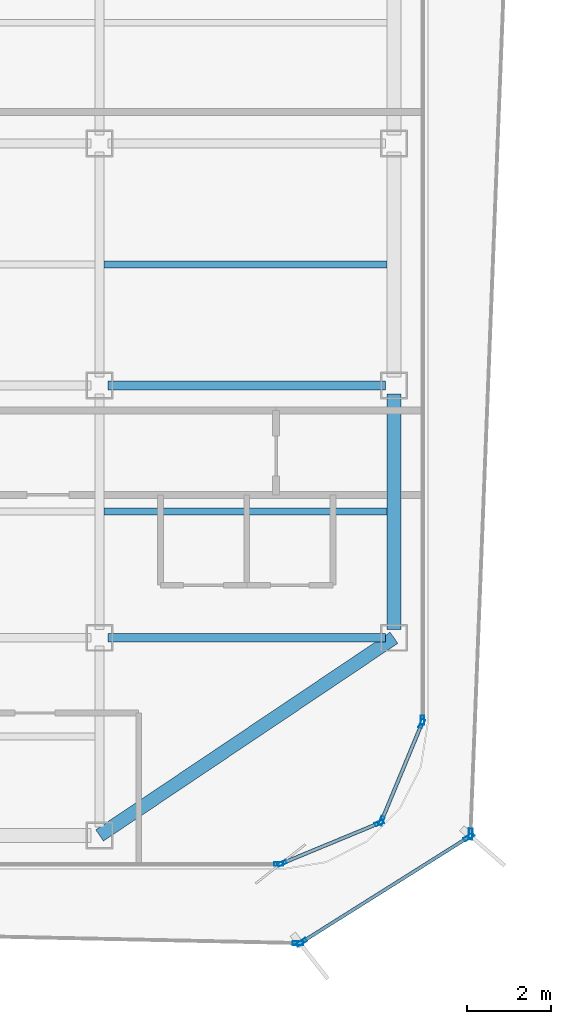
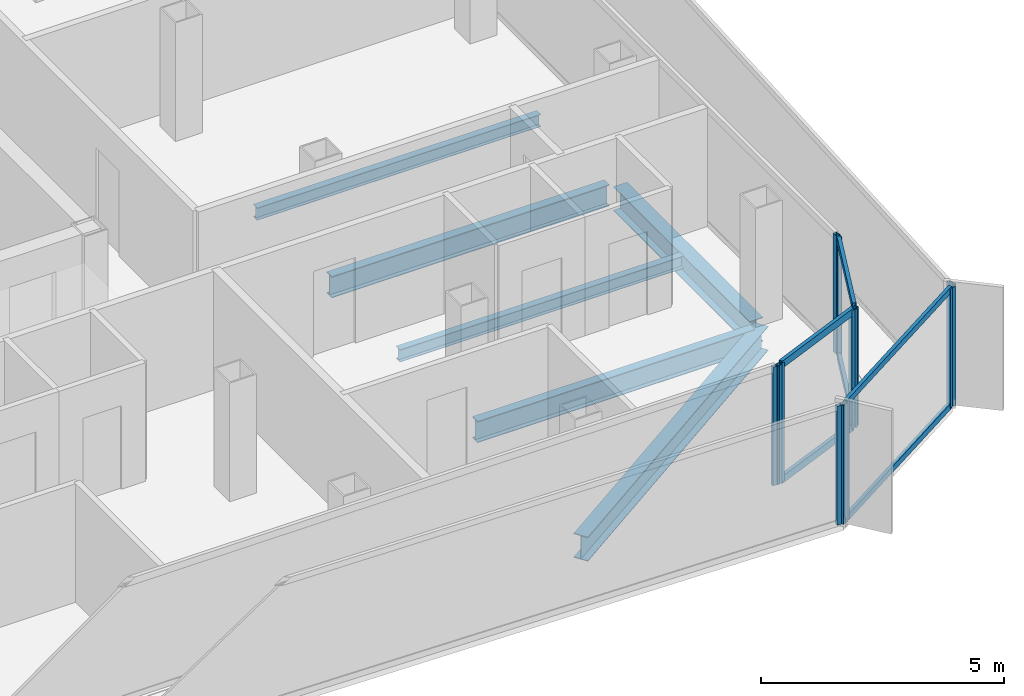
# One storey, part 4 of 15: 16 members, 6 beams, 7 elements without a shape of their own.
"""IFC4 building model written with IfcOpenShell, lengths in metres."""

from ifc_helpers import new_model, si_unit, direction, frame, origin, origin_2d, place, context, subcontext, project, spatial, hollow_rectangle, i_section, extrude, source, transform, mapped, material, layer, layer_set, material_profile, profile_set, type_object, element, aggregate, save


model = new_model("IFC4")

# Units and contexts
model_context = context("Model", 3, precision=1e-05, world=origin(), true_north=direction((0.0, 1.0)))
body_context = subcontext(model_context, "Body", "Model", "MODEL_VIEW")
ifc_project = project(units=[si_unit("LENGTHUNIT", "METRE"), si_unit("AREAUNIT", "SQUARE_METRE"), si_unit("VOLUMEUNIT", "CUBIC_METRE"), si_unit("PLANEANGLEUNIT", "RADIAN"), si_unit("MASSUNIT", "GRAM", prefix="KILO")], contexts=[model_context])

# Site, building, storey
site_placement = place(None, origin())
site = spatial("IfcSite", under=ifc_project, at=site_placement, CompositionType="ELEMENT")
building_placement = place(site_placement, origin())
building = spatial("IfcBuilding", under=site, at=building_placement, Name="Kolveth Station Tower", CompositionType="ELEMENT")
storey_placement = place(building_placement, frame((0.0, 0.0, 223.300048828125)))
storey = spatial("IfcBuildingStorey", under=building, at=storey_placement, Name="L63", CompositionType="ELEMENT", Elevation=223.300048828125)

# Beams
ifc_material_1 = material(Name="Steel S355", Category="steel")
ifc_material_profile_1 = material_profile(ifc_material_1, i_section(OverallWidth=0.323974609375, OverallDepth=0.611083984375, WebThickness=0.0126953125, FlangeThickness=0.01904296875, at=origin_2d()), Name="W610x155")
ifc_profile_set_1 = profile_set([ifc_material_profile_1], Name="Steel S355")
beam_type_1 = type_object("IfcBeamType", Name="Beam_SP2", PredefinedType="SPANDREL", material=ifc_profile_set_1)
shared_shape_1 = source(origin(), body_context, "Body", "SweptSolid", [
    extrude(i_section(OverallWidth=0.323974609375, OverallDepth=0.611083984375, WebThickness=0.0126953125, FlangeThickness=0.01904296875, at=origin_2d()), origin(), (0.0, 0.0, 1.0), 8.431396484375),
])
beam_1_placement = place(storey_placement, frame((34.0, 0.800048828125, -0.525634765625), z_axis=(0.830223811004, 0.557430196206, 0.0), x_axis=(-0.557430196206, 0.830223811004, 0.0)))
element("IfcBeam", 1, at=beam_1_placement, inside=storey, type_object=beam_type_1, Name="L63 Corner Edge Girder BM-L63-CNR-SE", PredefinedType="SPANDREL", context=body_context, shape_type="MappedRepresentation", body=[
    mapped(shared_shape_1, transform((0.0, 0.0, 0.0), x_axis=(1.0, 0.0, 0.0), y_axis=(0.0, 1.0, 0.0), z_axis=(0.0, 0.0, 1.0), scale=1.0)),
])
shared_shape_2 = source(origin(), body_context, "Body", "SweptSolid", [
    extrude(i_section(OverallWidth=0.323974609375, OverallDepth=0.611083984375, WebThickness=0.0126953125, FlangeThickness=0.01904296875, at=origin_2d()), origin(), (0.0, 0.0, 1.0), 5.60009765625),
])
beam_2_placement = place(storey_placement, frame((41.0, 5.699951171875, -0.525634765625), z_axis=(0.0, 1.0, 0.0), x_axis=(-1.0, 0.0, 0.0)))
element("IfcBeam", 2, at=beam_2_placement, inside=storey, type_object=beam_type_1, Name="L63 Perimeter Spandrel BM-L63-PE-1", PredefinedType="SPANDREL", context=body_context, shape_type="MappedRepresentation", body=[
    mapped(shared_shape_2, transform((0.0, 0.0, 0.0), x_axis=(1.0, 0.0, 0.0), y_axis=(0.0, 1.0, 0.0), z_axis=(0.0, 0.0, 1.0), scale=1.0)),
])
ifc_material_profile_2 = material_profile(ifc_material_1, i_section(OverallWidth=0.2099609375, OverallDepth=0.537109375, WebThickness=0.010986328125, FlangeThickness=0.017333984375, at=origin_2d()), Name="W530x101")
ifc_profile_set_2 = profile_set([ifc_material_profile_2], Name="Steel S355")
beam_type_2 = type_object("IfcBeamType", Name="Beam_B6", PredefinedType="BEAM", material=ifc_profile_set_2)
shared_shape_3 = source(origin(), body_context, "Body", "SweptSolid", [
    extrude(i_section(OverallWidth=0.2099609375, OverallDepth=0.537109375, WebThickness=0.010986328125, FlangeThickness=0.017333984375, at=origin_2d()), origin(), (0.0, 0.0, 1.0), 6.60009765625),
])
for number, where, z_axis, x_axis, name in (
    (3, (34.199951171875, 5.5, -0.488525390625), (1.0, 0.0, 0.0), (0.0, 1.0, 0.0), "L63 Primary Girder BM-L63-GY55-5"),
    (4, (34.199951171875, 11.5, -0.488525390625), (1.0, 0.0, 0.0), (0.0, 1.0, 0.0), "L63 Primary Girder BM-L63-GY115-5"),
):
    element("IfcBeam", number, at=place(storey_placement, frame(where, z_axis=z_axis, x_axis=x_axis)), inside=storey, type_object=beam_type_2, Name=name, PredefinedType="BEAM", context=body_context, shape_type="MappedRepresentation", body=[
        mapped(shared_shape_3, transform((0.0, 0.0, 0.0), x_axis=(1.0, 0.0, 0.0), y_axis=(0.0, 1.0, 0.0), z_axis=(0.0, 0.0, 1.0), scale=1.0)),
    ])
ifc_material_profile_3 = material_profile(ifc_material_1, i_section(OverallWidth=0.1650390625, OverallDepth=0.31005859375, WebThickness=0.005859375, FlangeThickness=0.009765625, at=origin_2d()), Name="W310x39")
ifc_profile_set_3 = profile_set([ifc_material_profile_3], Name="Steel S355")
beam_type_3 = type_object("IfcBeamType", Name="Beam_J3", PredefinedType="JOIST", material=ifc_profile_set_3)
shared_shape_4 = source(origin(), body_context, "Body", "SweptSolid", [
    extrude(i_section(OverallWidth=0.1650390625, OverallDepth=0.31005859375, WebThickness=0.005859375, FlangeThickness=0.009765625, at=origin_2d()), origin(), (0.0, 0.0, 1.0), 6.737060546875),
])
for number, where, z_axis, x_axis, name in (
    (5, (34.10302734375, 8.5, -0.375), (1.0, 0.0, 0.0), (0.0, 1.0, 0.0), "L63 Secondary Joist JST-L63-5-2"),
    (6, (34.10302734375, 14.375, -0.375), (1.0, 0.0, 0.0), (0.0, 1.0, 0.0), "L63 Secondary Joist JST-L63-5-3"),
):
    element("IfcBeam", number, at=place(storey_placement, frame(where, z_axis=z_axis, x_axis=x_axis)), inside=storey, type_object=beam_type_3, Name=name, PredefinedType="JOIST", context=body_context, shape_type="MappedRepresentation", body=[
        mapped(shared_shape_4, transform((0.0, 0.0, 0.0), x_axis=(1.0, 0.0, 0.0), y_axis=(0.0, 1.0, 0.0), z_axis=(0.0, 0.0, 1.0), scale=1.0)),
    ])

# Curtain wall, members
ifc_material_2 = material(Name="Black anodized aluminium 6063-T6 and dark solar glass", Category="aluminium")
ifc_layer_1 = layer(ifc_material_2, 0.159912109375)
ifc_layer_set_1 = layer_set([ifc_layer_1], Name="Black anodized aluminium 6063-T6 and dark solar glass")
curtain_wall_type_1 = type_object("IfcCurtainWallType", Name="OUTER SKIN CW-OS", PredefinedType="NOTDEFINED", material=ifc_layer_set_1)
curtain_wall_1_placement = place(storey_placement, origin())
curtain_wall_1 = element("IfcCurtainWall", 7, at=curtain_wall_1_placement, inside=storey, type_object=curtain_wall_type_1, Name="L63 Outer Ventilated Skin Curtain Wall 1", PredefinedType="NOTDEFINED")
ifc_material_3 = material(Name="Black anodized aluminium 6063-T6", Category="aluminium")
ifc_material_profile_4 = material_profile(ifc_material_3, hollow_rectangle(XDim=0.090087890625, YDim=0.260009765625, WallThickness=0.0048828125, at=origin_2d()), Name="ALU-90x260x5")
ifc_profile_set_4 = profile_set([ifc_material_profile_4], Name="Black anodized aluminium 6063-T6")
member_type_1 = type_object("IfcMemberType", Name="FIN MULLION ML-OS", PredefinedType="MULLION", material=ifc_profile_set_4)
shared_shape_5 = source(origin(), body_context, "Body", "SweptSolid", [
    extrude(hollow_rectangle(XDim=0.090087890625, YDim=0.260009765625, WallThickness=0.0048828125, at=origin_2d()), origin(), (0.0, 0.0, 1.0), 2.989990234375),
])
member_1_placement = place(storey_placement, frame((38.802001953125, -1.739990234375, 0.0), z_axis=(0.0, 0.0, 1.0), x_axis=(-0.532505109219, 0.846426788716, 0.0)))
member_1 = element("IfcMember", 8, at=member_1_placement, type_object=member_type_1, Name="CW-OS mullion 1", PredefinedType="MULLION", context=body_context, shape_type="MappedRepresentation", body=[
    mapped(shared_shape_5, transform((0.0, 0.0, 0.0), x_axis=(1.0, 0.0, 0.0), y_axis=(0.0, 1.0, 0.0), z_axis=(0.0, 0.0, 1.0), scale=1.0)),
])
member_2_placement = place(storey_placement, frame((42.783935546875, 0.76513671875, 0.0), z_axis=(0.0, 0.0, 1.0), x_axis=(-0.532505109219, 0.846426788716, 0.0)))
member_2 = element("IfcMember", 9, at=member_2_placement, type_object=member_type_1, Name="CW-OS mullion 2", PredefinedType="MULLION", context=body_context, shape_type="MappedRepresentation", body=[
    mapped(shared_shape_5, transform((0.0, 0.0, 0.0), x_axis=(1.0, 0.0, 0.0), y_axis=(0.0, 1.0, 0.0), z_axis=(0.0, 0.0, 1.0), scale=1.0)),
])

# Curtain wall, member
curtain_wall_2_placement = place(storey_placement, origin())
curtain_wall_2 = element("IfcCurtainWall", 10, at=curtain_wall_2_placement, inside=storey, type_object=curtain_wall_type_1, Name="L63 Outer Ventilated Skin Curtain Wall 2", PredefinedType="NOTDEFINED")
member_3_placement = place(storey_placement, frame((42.82373046875, 0.833984375, 0.0), z_axis=(0.0, 0.0, 1.0), x_axis=(-0.999229139588, 0.039257185308, 0.0)))
member_3 = element("IfcMember", 11, at=member_3_placement, type_object=member_type_1, Name="CW-OS mullion 1", PredefinedType="MULLION", context=body_context, shape_type="MappedRepresentation", body=[
    mapped(shared_shape_5, transform((0.0, 0.0, 0.0), x_axis=(1.0, 0.0, 0.0), y_axis=(0.0, 1.0, 0.0), z_axis=(0.0, 0.0, 1.0), scale=1.0)),
])
aggregate(curtain_wall_2, [member_3])

curtain_wall_3_placement = place(storey_placement, origin())
curtain_wall_3 = element("IfcCurtainWall", 12, at=curtain_wall_3_placement, inside=storey, type_object=curtain_wall_type_1, Name="L63 Outer Ventilated Skin Curtain Wall 8", PredefinedType="NOTDEFINED")
member_4_placement = place(storey_placement, frame((38.71875, -1.762939453125, 0.0), z_axis=(0.0, 0.0, 1.0), x_axis=(0.021513470864, 0.999768558503, 0.0)))
member_4 = element("IfcMember", 13, at=member_4_placement, type_object=member_type_1, Name="CW-OS mullion 2", PredefinedType="MULLION", context=body_context, shape_type="MappedRepresentation", body=[
    mapped(shared_shape_5, transform((0.0, 0.0, 0.0), x_axis=(1.0, 0.0, 0.0), y_axis=(0.0, 1.0, 0.0), z_axis=(0.0, 0.0, 1.0), scale=1.0)),
])
aggregate(curtain_wall_3, [member_4])

# Curtain wall, members
ifc_material_4 = material(Name="Aluminium 6063-T6 and triple low-E dark glass", Category="aluminium")
ifc_layer_2 = layer(ifc_material_4, 0.199951171875)
ifc_layer_set_2 = layer_set([ifc_layer_2], Name="Aluminium 6063-T6 and triple low-E dark glass")
curtain_wall_type_2 = type_object("IfcCurtainWallType", Name="CurtainWall_CW-Z3", PredefinedType="NOTDEFINED", material=ifc_layer_set_2)
curtain_wall_4_placement = place(storey_placement, origin())
curtain_wall_4 = element("IfcCurtainWall", 14, at=curtain_wall_4_placement, inside=storey, type_object=curtain_wall_type_2, Name="L63 Inner Thermal Curtain Wall 1", PredefinedType="NOTDEFINED")
ifc_material_profile_5 = material_profile(ifc_material_3, hollow_rectangle(XDim=0.0849609375, YDim=0.215087890625, WallThickness=0.0048828125, at=origin_2d()), Name="ALU-85x215x5")
ifc_profile_set_5 = profile_set([ifc_material_profile_5], Name="Black anodized aluminium 6063-T6")
member_type_2 = type_object("IfcMemberType", Name="Mullion_ML3", PredefinedType="MULLION", material=ifc_profile_set_5)
shared_shape_6 = source(origin(), body_context, "Body", "SweptSolid", [
    extrude(hollow_rectangle(XDim=0.0849609375, YDim=0.215087890625, WallThickness=0.0048828125, at=origin_2d()), origin(), (0.0, 0.0, 1.0), 2.97998046875),
])
member_5_placement = place(storey_placement, frame((38.33935546875, 0.13623046875, 0.0), z_axis=(0.0, 0.0, 1.0), x_axis=(-0.382693194181, 0.923875488975, 0.0)))
member_5 = element("IfcMember", 15, at=member_5_placement, type_object=member_type_2, Name="CW-Z3 mullion 1", PredefinedType="MULLION", context=body_context, shape_type="MappedRepresentation", body=[
    mapped(shared_shape_6, transform((0.0, 0.0, 0.0), x_axis=(1.0, 0.0, 0.0), y_axis=(0.0, 1.0, 0.0), z_axis=(0.0, 0.0, 1.0), scale=1.0)),
])
member_6_placement = place(storey_placement, frame((40.650634765625, 1.09375, 0.0), z_axis=(0.0, 0.0, 1.0), x_axis=(-0.382693194181, 0.923875488975, 0.0)))
member_6 = element("IfcMember", 16, at=member_6_placement, type_object=member_type_2, Name="CW-Z3 mullion 2", PredefinedType="MULLION", context=body_context, shape_type="MappedRepresentation", body=[
    mapped(shared_shape_6, transform((0.0, 0.0, 0.0), x_axis=(1.0, 0.0, 0.0), y_axis=(0.0, 1.0, 0.0), z_axis=(0.0, 0.0, 1.0), scale=1.0)),
])

curtain_wall_5_placement = place(storey_placement, origin())
curtain_wall_5 = element("IfcCurtainWall", 17, at=curtain_wall_5_placement, inside=storey, type_object=curtain_wall_type_2, Name="L63 Inner Thermal Curtain Wall 2", PredefinedType="NOTDEFINED")
member_7_placement = place(storey_placement, frame((40.706298828125, 1.149169921875, 0.0), z_axis=(0.0, 0.0, 1.0), x_axis=(-0.923875488975, 0.382693194181, 0.0)))
member_7 = element("IfcMember", 18, at=member_7_placement, type_object=member_type_2, Name="CW-Z3 mullion 1", PredefinedType="MULLION", context=body_context, shape_type="MappedRepresentation", body=[
    mapped(shared_shape_6, transform((0.0, 0.0, 0.0), x_axis=(1.0, 0.0, 0.0), y_axis=(0.0, 1.0, 0.0), z_axis=(0.0, 0.0, 1.0), scale=1.0)),
])
member_8_placement = place(storey_placement, frame((41.663818359375, 3.460693359375, 0.0), z_axis=(0.0, 0.0, 1.0), x_axis=(-0.923875488975, 0.382693194181, 0.0)))
member_8 = element("IfcMember", 19, at=member_8_placement, type_object=member_type_2, Name="CW-Z3 mullion 2", PredefinedType="MULLION", context=body_context, shape_type="MappedRepresentation", body=[
    mapped(shared_shape_6, transform((0.0, 0.0, 0.0), x_axis=(1.0, 0.0, 0.0), y_axis=(0.0, 1.0, 0.0), z_axis=(0.0, 0.0, 1.0), scale=1.0)),
])

# Curtain wall, member
curtain_wall_6_placement = place(storey_placement, origin())
curtain_wall_6 = element("IfcCurtainWall", 20, at=curtain_wall_6_placement, inside=storey, type_object=curtain_wall_type_2, Name="L63 Inner Thermal Curtain Wall 3", PredefinedType="NOTDEFINED")
member_9_placement = place(storey_placement, frame((41.679931640625, 3.54248046875, 0.0), z_axis=(0.0, 0.0, 1.0), x_axis=(-1.0, 0.0, 0.0)))
member_9 = element("IfcMember", 21, at=member_9_placement, type_object=member_type_2, Name="CW-Z3 mullion 1", PredefinedType="MULLION", context=body_context, shape_type="MappedRepresentation", body=[
    mapped(shared_shape_6, transform((0.0, 0.0, 0.0), x_axis=(1.0, 0.0, 0.0), y_axis=(0.0, 1.0, 0.0), z_axis=(0.0, 0.0, 1.0), scale=1.0)),
])
aggregate(curtain_wall_6, [member_9])

curtain_wall_7_placement = place(storey_placement, origin())
curtain_wall_7 = element("IfcCurtainWall", 22, at=curtain_wall_7_placement, inside=storey, type_object=curtain_wall_type_2, Name="L63 Inner Thermal Curtain Wall 12", PredefinedType="NOTDEFINED")
member_10_placement = place(storey_placement, frame((38.257568359375, 0.1201171875, 0.0), z_axis=(0.0, 0.0, 1.0), x_axis=(0.0, 1.0, 0.0)))
member_10 = element("IfcMember", 23, at=member_10_placement, type_object=member_type_2, Name="CW-Z3 mullion 2", PredefinedType="MULLION", context=body_context, shape_type="MappedRepresentation", body=[
    mapped(shared_shape_6, transform((0.0, 0.0, 0.0), x_axis=(1.0, 0.0, 0.0), y_axis=(0.0, 1.0, 0.0), z_axis=(0.0, 0.0, 1.0), scale=1.0)),
])
aggregate(curtain_wall_7, [member_10])

# Member
ifc_material_profile_6 = material_profile(ifc_material_3, hollow_rectangle(XDim=0.0849609375, YDim=0.179931640625, WallThickness=0.0048828125, at=origin_2d()), Name="ALU-85x180x5")
ifc_profile_set_6 = profile_set([ifc_material_profile_6], Name="Black anodized aluminium 6063-T6")
member_type_3 = type_object("IfcMemberType", Name="Transom_TR3", PredefinedType="USERDEFINED", material=ifc_profile_set_6)
shared_shape_7 = source(origin(), body_context, "Body", "SweptSolid", [
    extrude(hollow_rectangle(XDim=0.0849609375, YDim=0.179931640625, WallThickness=0.0048828125, at=origin_2d()), origin(), (0.0, 0.0, 1.0), 2.4169921875),
])
member_11_placement = place(storey_placement, frame((38.37841796875, 0.152587890625, 0.04248046875), z_axis=(0.923908507952, 0.382613471971, 0.0), x_axis=(-0.382613471971, 0.923908507952, 0.0)))
member_11 = element("IfcMember", 24, at=member_11_placement, type_object=member_type_3, Name="CW-Z3 transom 1.1", ObjectType="TRANSOM", PredefinedType="USERDEFINED", context=body_context, shape_type="MappedRepresentation", body=[
    mapped(shared_shape_7, transform((0.0, 0.0, 0.0), x_axis=(1.0, 0.0, 0.0), y_axis=(0.0, 1.0, 0.0), z_axis=(0.0, 0.0, 1.0), scale=1.0)),
])

member_12_placement = place(storey_placement, frame((38.37841796875, 0.152587890625, 2.9375), z_axis=(0.923908507952, 0.382613471971, 0.0), x_axis=(-0.382613471971, 0.923908507952, 0.0)))
member_12 = element("IfcMember", 25, at=member_12_placement, type_object=member_type_3, Name="CW-Z3 transom 1.2", ObjectType="TRANSOM", PredefinedType="USERDEFINED", context=body_context, shape_type="MappedRepresentation", body=[
    mapped(shared_shape_7, transform((0.0, 0.0, 0.0), x_axis=(1.0, 0.0, 0.0), y_axis=(0.0, 1.0, 0.0), z_axis=(0.0, 0.0, 1.0), scale=1.0)),
])

aggregate(curtain_wall_4, [member_5, member_6, member_11, member_12])

member_13_placement = place(storey_placement, frame((40.722412109375, 1.1884765625, 0.04248046875), z_axis=(0.382735401206, 0.9238580046, 0.0), x_axis=(-0.9238580046, 0.382735401206, 0.0)))
member_13 = element("IfcMember", 26, at=member_13_placement, type_object=member_type_3, Name="CW-Z3 transom 1.1", ObjectType="TRANSOM", PredefinedType="USERDEFINED", context=body_context, shape_type="MappedRepresentation", body=[
    mapped(shared_shape_7, transform((0.0, 0.0, 0.0), x_axis=(1.0, 0.0, 0.0), y_axis=(0.0, 1.0, 0.0), z_axis=(0.0, 0.0, 1.0), scale=1.0)),
])

member_14_placement = place(storey_placement, frame((40.722412109375, 1.1884765625, 2.9375), z_axis=(0.382735401206, 0.9238580046, 0.0), x_axis=(-0.9238580046, 0.382735401206, 0.0)))
member_14 = element("IfcMember", 27, at=member_14_placement, type_object=member_type_3, Name="CW-Z3 transom 1.2", ObjectType="TRANSOM", PredefinedType="USERDEFINED", context=body_context, shape_type="MappedRepresentation", body=[
    mapped(shared_shape_7, transform((0.0, 0.0, 0.0), x_axis=(1.0, 0.0, 0.0), y_axis=(0.0, 1.0, 0.0), z_axis=(0.0, 0.0, 1.0), scale=1.0)),
])

aggregate(curtain_wall_5, [member_7, member_8, member_13, member_14])

ifc_material_profile_7 = material_profile(ifc_material_3, hollow_rectangle(XDim=0.080078125, YDim=0.14990234375, WallThickness=0.0048828125, at=origin_2d()), Name="ALU-80x150x5")
ifc_profile_set_7 = profile_set([ifc_material_profile_7], Name="Black anodized aluminium 6063-T6")
member_type_4 = type_object("IfcMemberType", Name="Transom_TR-OS", PredefinedType="USERDEFINED", material=ifc_profile_set_7)
shared_shape_8 = source(origin(), body_context, "Body", "SweptSolid", [
    extrude(hollow_rectangle(XDim=0.080078125, YDim=0.14990234375, WallThickness=0.0048828125, at=origin_2d()), origin(), (0.0, 0.0, 1.0), 4.614501953125),
])
member_15_placement = place(storey_placement, frame((38.840087890625, -1.716064453125, 0.0400390625), z_axis=(0.846419212977, 0.532517150807, 0.0), x_axis=(-0.532517150807, 0.846419212977, 0.0)))
member_15 = element("IfcMember", 28, at=member_15_placement, type_object=member_type_4, Name="CW-OS transom 1.1", ObjectType="TRANSOM", PredefinedType="USERDEFINED", context=body_context, shape_type="MappedRepresentation", body=[
    mapped(shared_shape_8, transform((0.0, 0.0, 0.0), x_axis=(1.0, 0.0, 0.0), y_axis=(0.0, 1.0, 0.0), z_axis=(0.0, 0.0, 1.0), scale=1.0)),
])

member_16_placement = place(storey_placement, frame((38.840087890625, -1.716064453125, 2.949951171875), z_axis=(0.846419212977, 0.532517150807, 0.0), x_axis=(-0.532517150807, 0.846419212977, 0.0)))
member_16 = element("IfcMember", 29, at=member_16_placement, type_object=member_type_4, Name="CW-OS transom 1.2", ObjectType="TRANSOM", PredefinedType="USERDEFINED", context=body_context, shape_type="MappedRepresentation", body=[
    mapped(shared_shape_8, transform((0.0, 0.0, 0.0), x_axis=(1.0, 0.0, 0.0), y_axis=(0.0, 1.0, 0.0), z_axis=(0.0, 0.0, 1.0), scale=1.0)),
])

aggregate(curtain_wall_1, [member_1, member_2, member_15, member_16])

save(model, "model.ifc")
